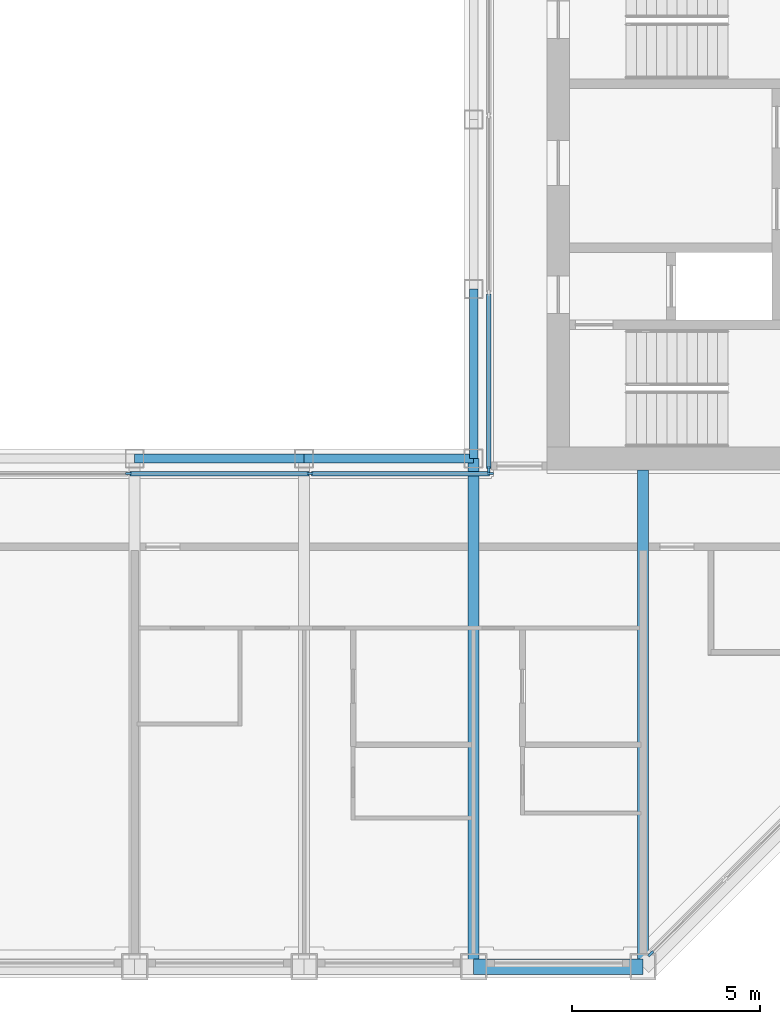
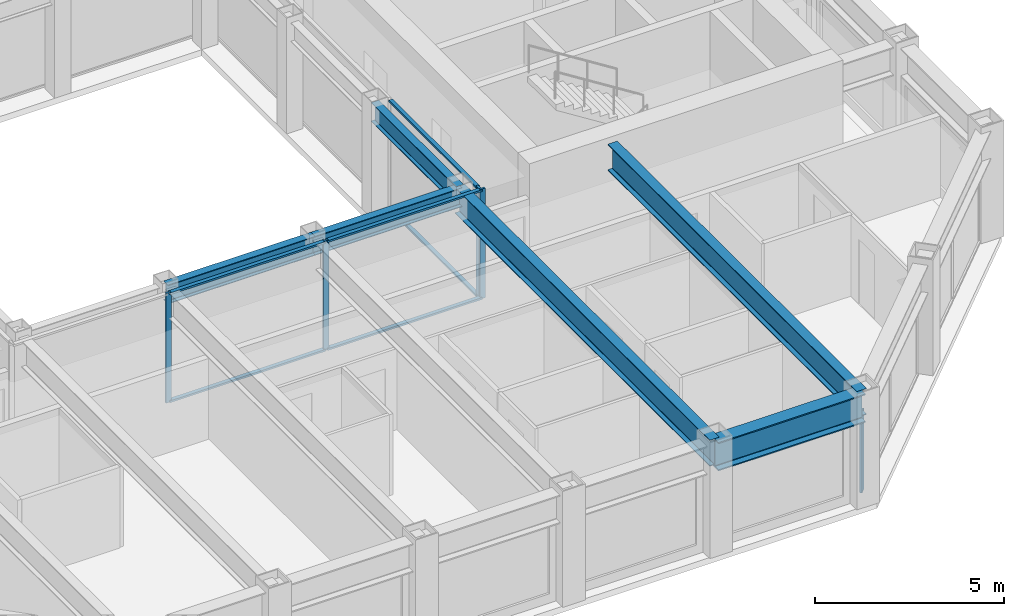
# One storey, part 3 of 17: 11 members, 6 beams, 3 elements without a shape of their own.
"""IFC4 building model written with IfcOpenShell, lengths in metres."""

from ifc_helpers import new_model, si_unit, direction, frame, origin, origin_2d, place, context, subcontext, project, spatial, rectangle, i_section, extrude, material, material_profile, profile_set, type_object, element, aggregate, save


model = new_model("IFC4")

# Units and contexts
model_context = context("Model", 3, precision=1e-05, world=origin(), true_north=direction((0.0, 1.0)))
body_context = subcontext(model_context, "Body", "Model", "MODEL_VIEW")
ifc_project = project(units=[si_unit("LENGTHUNIT", "METRE"), si_unit("AREAUNIT", "SQUARE_METRE"), si_unit("VOLUMEUNIT", "CUBIC_METRE"), si_unit("PLANEANGLEUNIT", "RADIAN"), si_unit("MASSUNIT", "GRAM", prefix="KILO")], contexts=[model_context])

# Site, building, storey
site_placement = place(None, origin())
site = spatial("IfcSite", under=ifc_project, at=site_placement, CompositionType="ELEMENT")
building_placement = place(site_placement, origin())
building = spatial("IfcBuilding", under=site, at=building_placement, Name="Msasa Ring Tower", CompositionType="ELEMENT")
storey_placement = place(building_placement, frame((0.0, 0.0, 242.050048828125)))
storey = spatial("IfcBuildingStorey", under=building, at=storey_placement, Name="L63", CompositionType="ELEMENT", Elevation=242.050048828125)

# Curtain wall, member
ifc_material_1 = material(Name="Aluminium curtain wall with clear glass", Category="aluminium")
curtain_wall_type_1 = type_object("IfcCurtainWallType", Name="CW-C CHAMFER CORNER CURTAIN WALL", PredefinedType="NOTDEFINED", material=ifc_material_1)
curtain_wall_1_placement = place(storey_placement, origin())
curtain_wall_1 = element("IfcCurtainWall", 1, at=curtain_wall_1_placement, inside=storey, type_object=curtain_wall_type_1, Name="Chamfer corner curtain wall SE L63", PredefinedType="NOTDEFINED")
ifc_material_2 = material(Name="Aluminium mullion", Category="aluminium")
ifc_material_profile_1 = material_profile(ifc_material_2, rectangle(XDim=0.06494140625, YDim=0.179931640625, at=origin_2d()), Name="AL 65x180")
ifc_profile_set_1 = profile_set([ifc_material_profile_1], Name="Aluminium mullion")
member_type_1 = type_object("IfcMemberType", Name="CW-C MULLION 65x180", PredefinedType="MULLION", material=ifc_profile_set_1)
member_1_placement = place(storey_placement, frame((11.453369140625, -19.9052734375, 0.0), z_axis=(0.0, 0.0, 1.0), x_axis=(-0.707106781187, 0.707106781187, 0.0)))
member_1 = element("IfcMember", 2, at=member_1_placement, type_object=member_type_1, Name="CW-C mullion 1", PredefinedType="MULLION", context=body_context, shape_type="SweptSolid", body=[
    extrude(rectangle(XDim=0.06494140625, YDim=0.179931640625, at=origin_2d()), origin(), (0.0, 0.0, 1.0), 2.62890625),
])
aggregate(curtain_wall_1, [member_1])

# Curtain wall, members
ifc_material_3 = material(Name="Aluminium curtain wall with clear glass", Category="aluminium")
curtain_wall_type_2 = type_object("IfcCurtainWallType", Name="CW-W LIGHT WELL CURTAIN WALL", PredefinedType="NOTDEFINED", material=ifc_material_3)
curtain_wall_2_placement = place(storey_placement, origin())
curtain_wall_2 = element("IfcCurtainWall", 3, at=curtain_wall_2_placement, inside=storey, type_object=curtain_wall_type_2, Name="Light well curtain wall S L63", PredefinedType="NOTDEFINED")
ifc_material_4 = material(Name="Aluminium mullion", Category="aluminium")
ifc_material_profile_2 = material_profile(ifc_material_4, rectangle(XDim=0.06005859375, YDim=0.159912109375, at=origin_2d()), Name="AL 60x160")
ifc_profile_set_2 = profile_set([ifc_material_profile_2], Name="Aluminium mullion")
member_type_2 = type_object("IfcMemberType", Name="CW-W MULLION 60x160", PredefinedType="MULLION", material=ifc_profile_set_2)
member_2_placement = place(storey_placement, frame((-2.409912109375, -7.14990234375, 0.0), z_axis=(0.0, 0.0, 1.0), x_axis=(0.0, 1.0, 0.0)))
member_2 = element("IfcMember", 4, at=member_2_placement, type_object=member_type_2, Name="CW-W mullion 2", PredefinedType="MULLION", context=body_context, shape_type="SweptSolid", body=[
    extrude(rectangle(XDim=0.06005859375, YDim=0.159912109375, at=origin_2d()), origin(), (0.0, 0.0, 1.0), 3.550048828125),
])
member_3_placement = place(storey_placement, frame((2.409912109375, -7.14990234375, 0.0), z_axis=(0.0, 0.0, 1.0), x_axis=(0.0, 1.0, 0.0)))
member_3 = element("IfcMember", 5, at=member_3_placement, type_object=member_type_2, Name="CW-W mullion 3", PredefinedType="MULLION", context=body_context, shape_type="SweptSolid", body=[
    extrude(rectangle(XDim=0.06005859375, YDim=0.159912109375, at=origin_2d()), origin(), (0.0, 0.0, 1.0), 3.550048828125),
])
member_4_placement = place(storey_placement, frame((7.199951171875, -7.14990234375, 0.0), z_axis=(0.0, 0.0, 1.0), x_axis=(0.0, 1.0, 0.0)))
member_4 = element("IfcMember", 6, at=member_4_placement, type_object=member_type_2, Name="CW-W mullion 4", PredefinedType="MULLION", context=body_context, shape_type="SweptSolid", body=[
    extrude(rectangle(XDim=0.06005859375, YDim=0.159912109375, at=origin_2d()), origin(), (0.0, 0.0, 1.0), 3.550048828125),
])

# Curtain wall, member
curtain_wall_3_placement = place(storey_placement, origin())
curtain_wall_3 = element("IfcCurtainWall", 7, at=curtain_wall_3_placement, inside=storey, type_object=curtain_wall_type_2, Name="Light well curtain wall E L63", PredefinedType="NOTDEFINED")
member_5_placement = place(storey_placement, frame((7.14990234375, -7.0400390625, 0.0), z_axis=(0.0, 0.0, 1.0), x_axis=(-1.0, 0.0, 0.0)))
member_5 = element("IfcMember", 8, at=member_5_placement, type_object=member_type_2, Name="CW-W mullion 1", PredefinedType="MULLION", context=body_context, shape_type="SweptSolid", body=[
    extrude(rectangle(XDim=0.06005859375, YDim=0.159912109375, at=origin_2d()), origin(), (0.0, 0.0, 1.0), 3.550048828125),
])

# Member
ifc_material_5 = material(Name="Aluminium transom", Category="aluminium")
ifc_material_profile_3 = material_profile(ifc_material_5, rectangle(XDim=0.1201171875, YDim=0.06005859375, at=origin_2d()), Name="AL 60x120")
ifc_profile_set_3 = profile_set([ifc_material_profile_3], Name="Aluminium transom")
member_type_3 = type_object("IfcMemberType", Name="CW-W TRANSOM 60x120", PredefinedType="USERDEFINED", material=ifc_profile_set_3)
member_6_placement = place(storey_placement, frame((-2.3798828125, -7.14990234375, 0.030029296875), z_axis=(1.0, 0.0, 0.0), x_axis=(0.0, 1.0, 0.0)))
member_6 = element("IfcMember", 9, at=member_6_placement, type_object=member_type_3, Name="CW-W transom 2.1", ObjectType="TRANSOM", PredefinedType="USERDEFINED", context=body_context, shape_type="SweptSolid", body=[
    extrude(rectangle(XDim=0.1201171875, YDim=0.06005859375, at=origin_2d()), origin(), (0.0, 0.0, 1.0), 4.759765625),
])

member_7_placement = place(storey_placement, frame((-2.3798828125, -7.14990234375, 3.52001953125), z_axis=(1.0, 0.0, 0.0), x_axis=(0.0, 1.0, 0.0)))
member_7 = element("IfcMember", 10, at=member_7_placement, type_object=member_type_3, Name="CW-W transom 2.2", ObjectType="TRANSOM", PredefinedType="USERDEFINED", context=body_context, shape_type="SweptSolid", body=[
    extrude(rectangle(XDim=0.1201171875, YDim=0.06005859375, at=origin_2d()), origin(), (0.0, 0.0, 1.0), 4.759765625),
])

member_8_placement = place(storey_placement, frame((2.43994140625, -7.14990234375, 0.030029296875), z_axis=(1.0, 0.0, 0.0), x_axis=(0.0, 1.0, 0.0)))
member_8 = element("IfcMember", 11, at=member_8_placement, type_object=member_type_3, Name="CW-W transom 3.1", ObjectType="TRANSOM", PredefinedType="USERDEFINED", context=body_context, shape_type="SweptSolid", body=[
    extrude(rectangle(XDim=0.1201171875, YDim=0.06005859375, at=origin_2d()), origin(), (0.0, 0.0, 1.0), 4.72998046875),
])

member_9_placement = place(storey_placement, frame((2.43994140625, -7.14990234375, 3.52001953125), z_axis=(1.0, 0.0, 0.0), x_axis=(0.0, 1.0, 0.0)))
member_9 = element("IfcMember", 12, at=member_9_placement, type_object=member_type_3, Name="CW-W transom 3.2", ObjectType="TRANSOM", PredefinedType="USERDEFINED", context=body_context, shape_type="SweptSolid", body=[
    extrude(rectangle(XDim=0.1201171875, YDim=0.06005859375, at=origin_2d()), origin(), (0.0, 0.0, 1.0), 4.72998046875),
])

aggregate(curtain_wall_2, [member_2, member_3, member_4, member_6, member_7, member_8, member_9])

member_10_placement = place(storey_placement, frame((7.14990234375, -7.010009765625, 0.030029296875), z_axis=(0.0, 1.0, 0.0), x_axis=(-1.0, 0.0, 0.0)))
member_10 = element("IfcMember", 13, at=member_10_placement, type_object=member_type_3, Name="CW-W transom 1.1", ObjectType="TRANSOM", PredefinedType="USERDEFINED", context=body_context, shape_type="SweptSolid", body=[
    extrude(rectangle(XDim=0.1201171875, YDim=0.06005859375, at=origin_2d()), origin(), (0.0, 0.0, 1.0), 4.623291015625),
])

member_11_placement = place(storey_placement, frame((7.14990234375, -7.010009765625, 3.52001953125), z_axis=(0.0, 1.0, 0.0), x_axis=(-1.0, 0.0, 0.0)))
member_11 = element("IfcMember", 14, at=member_11_placement, type_object=member_type_3, Name="CW-W transom 1.2", ObjectType="TRANSOM", PredefinedType="USERDEFINED", context=body_context, shape_type="SweptSolid", body=[
    extrude(rectangle(XDim=0.1201171875, YDim=0.06005859375, at=origin_2d()), origin(), (0.0, 0.0, 1.0), 4.623291015625),
])

aggregate(curtain_wall_3, [member_5, member_10, member_11])

# Beams
ifc_material_6 = material(Name="Steel S355", Category="steel")
ifc_material_profile_4 = material_profile(ifc_material_6, i_section(OverallWidth=0.293701171875, OverallDepth=0.850830078125, WebThickness=0.01611328125, FlangeThickness=0.02685546875, FilletRadius=0.017822265625, at=origin_2d()), Name="UB 838x292x226")
ifc_profile_set_4 = profile_set([ifc_material_profile_4], Name="Steel S355")
beam_type_1 = type_object("IfcBeamType", Name="FB5 UB 838x292x226", PredefinedType="BEAM", material=ifc_profile_set_4)
beam_1_placement = place(storey_placement, frame((6.75, -20.25, 3.12451171875), z_axis=(0.0, 1.0, 0.0), x_axis=(-1.0, 0.0, 0.0)))
element("IfcBeam", 15, at=beam_1_placement, inside=storey, type_object=beam_type_1, Name="Floor beam S+6.75 under L64", PredefinedType="BEAM", context=body_context, shape_type="SweptSolid", body=[
    extrude(i_section(OverallWidth=0.293701171875, OverallDepth=0.850830078125, WebThickness=0.01611328125, FlangeThickness=0.02685546875, FilletRadius=0.017822265625, at=origin_2d()), origin(), (0.0, 0.0, 1.0), 13.5),
])
beam_2_placement = place(storey_placement, frame((11.25, -20.25, 3.12451171875), z_axis=(0.0, 1.0, 0.0), x_axis=(-1.0, 0.0, 0.0)))
element("IfcBeam", 16, at=beam_2_placement, inside=storey, type_object=beam_type_1, Name="Floor beam S+11.25 under L64", PredefinedType="BEAM", context=body_context, shape_type="SweptSolid", body=[
    extrude(i_section(OverallWidth=0.293701171875, OverallDepth=0.850830078125, WebThickness=0.01611328125, FlangeThickness=0.02685546875, FilletRadius=0.017822265625, at=origin_2d()), origin(), (0.0, 0.0, 1.0), 13.199951171875),
])
ifc_material_7 = material(Name="Steel S355", Category="steel")
ifc_material_profile_5 = material_profile(ifc_material_7, i_section(OverallWidth=0.230224609375, OverallDepth=0.6171875, WebThickness=0.01318359375, FlangeThickness=0.022216796875, FilletRadius=0.0126953125, at=origin_2d()), Name="UB 610x229x140")
ifc_profile_set_5 = profile_set([ifc_material_profile_5], Name="Steel S355")
beam_type_2 = type_object("IfcBeamType", Name="RB1 UB 610x229x140", PredefinedType="BEAM", material=ifc_profile_set_5)
for number, where, z_axis, x_axis, name in (
    (17, (-2.25, -6.75, 3.241455078125), (1.0, 0.0, 0.0), (0.0, 1.0, 0.0), "Inner ring beam IR-2.25-6.75 under L64"),
    (18, (2.25, -6.75, 3.241455078125), (1.0, 0.0, 0.0), (0.0, 1.0, 0.0), "Inner ring beam IR+2.25-6.75 under L64"),
    (19, (6.75, -6.75, 3.241455078125), (0.0, 1.0, 0.0), (-1.0, 0.0, 0.0), "Inner ring beam IR+6.75-6.75 under L64"),
):
    element("IfcBeam", number, at=place(storey_placement, frame(where, z_axis=z_axis, x_axis=x_axis)), inside=storey, type_object=beam_type_2, Name=name, PredefinedType="BEAM", context=body_context, shape_type="SweptSolid", body=[
        extrude(i_section(OverallWidth=0.230224609375, OverallDepth=0.6171875, WebThickness=0.01318359375, FlangeThickness=0.022216796875, FilletRadius=0.0126953125, at=origin_2d()), origin(), (0.0, 0.0, 1.0), 4.5),
    ])
ifc_material_8 = material(Name="Steel S355", Category="steel")
ifc_material_profile_6 = material_profile(ifc_material_8, i_section(OverallWidth=0.42041015625, OverallDepth=0.9208984375, WebThickness=0.021484375, FlangeThickness=0.03662109375, FilletRadius=0.024169921875, at=origin_2d()), Name="UB 914x419x388")
ifc_profile_set_6 = profile_set([ifc_material_profile_6], Name="Steel S355")
beam_type_3 = type_object("IfcBeamType", Name="SB1 UB 914x419x388", PredefinedType="SPANDREL", material=ifc_profile_set_6)
beam_3_placement = place(storey_placement, frame((6.75, -20.25, 3.08935546875), z_axis=(1.0, 0.0, 0.0), x_axis=(0.0, 1.0, 0.0)))
element("IfcBeam", 20, at=beam_3_placement, inside=storey, type_object=beam_type_3, Name="Spandrel S+6.75 to S+11.25 under L64", PredefinedType="SPANDREL", context=body_context, shape_type="SweptSolid", body=[
    extrude(i_section(OverallWidth=0.42041015625, OverallDepth=0.9208984375, WebThickness=0.021484375, FlangeThickness=0.03662109375, FilletRadius=0.024169921875, at=origin_2d()), origin(), (0.0, 0.0, 1.0), 4.5),
])

save(model, "model.ifc")
